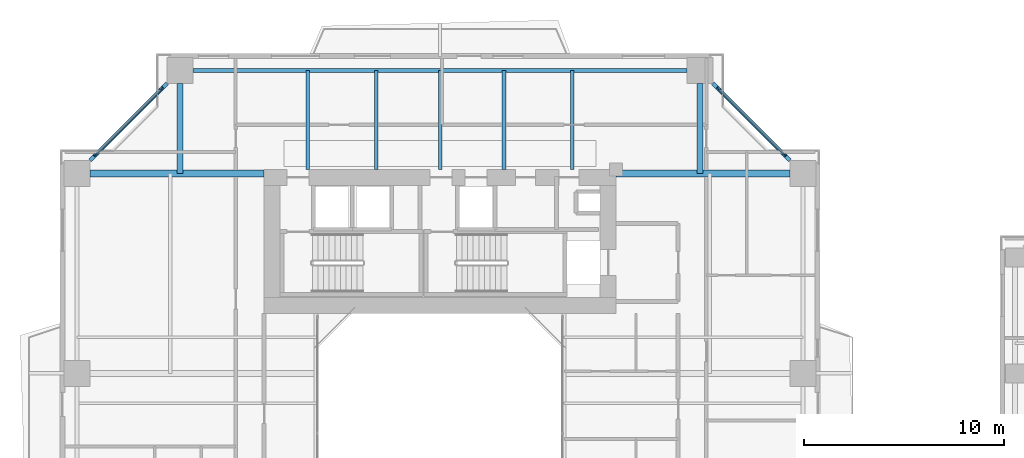
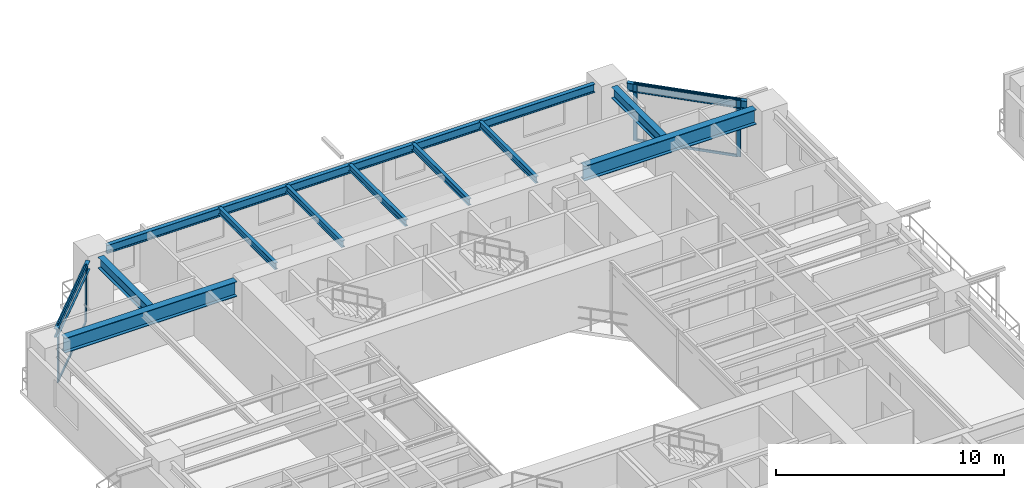
# One storey, part 9 of 23: 12 beams, 8 members, 2 elements without a shape of their own.
"""IFC4 building model written with IfcOpenShell, lengths in metres."""

import ifcopenshell
import ifcopenshell.guid

model = None  # the IFC model being written
_history = None  # IfcOwnerHistory: only IFC2X3 demands one
_inside = {}  # id of a spatial element -> (the spatial element, [elements in it])
_under = {}  # id of a project, library or spatial element -> (it, [spatial elements below it])
_declared = {}  # id of a project -> (the project, [libraries it declares])
_typed = {}  # id of a type object -> (the type object, [elements of that type])
_made_of = {}  # id of a material, layer set ... -> (it, [elements and type objects made of it])


def new_model(schema):
    """Start an empty IFC model of exactly this schema.

    Asked for "IFC4X3", IfcOpenShell would pick the latest addendum, in which some entities
    have other attributes; the version numbers below select the first issue.
    IFC2X3 requires an IfcOwnerHistory on every rooted entity: one is made here for all.
    """
    global model, _history
    if schema == "IFC4X3":
        model = ifcopenshell.file(schema_version=(4, 3, 0, 0))
    else:
        model = ifcopenshell.file(schema=schema)
    _inside.clear()
    _under.clear()
    _declared.clear()
    _typed.clear()
    _made_of.clear()
    _history = None
    if model.schema == "IFC2X3":
        org = make("IfcOrganization", Name="unknown")
        user = make(
            "IfcPersonAndOrganization",
            ThePerson=make("IfcPerson", FamilyName="unknown"),
            TheOrganization=org,
        )
        app = make(
            "IfcApplication",
            ApplicationDeveloper=org,
            Version="unknown",
            ApplicationFullName="unknown",
            ApplicationIdentifier="unknown",
        )
        _history = make(
            "IfcOwnerHistory",
            OwningUser=user,
            OwningApplication=app,
            ChangeAction="ADDED",
            CreationDate=0,
        )
    return model


def make(cls, **values):
    """One entity of the class cls with the attributes given. An attribute that is None is left unset."""
    return model.create_entity(
        cls, **{name: value for name, value in values.items() if value is not None}
    )


def rooted(cls, **values):
    """An entity with a GlobalId (a new one), such as an element, a storey or a relation."""
    return make(cls, GlobalId=ifcopenshell.guid.new(), OwnerHistory=_history, **values)


def si_unit(unit_type, name, prefix=None):
    """IfcSIUnit, for example si_unit("LENGTHUNIT", "METRE", prefix="MILLI")."""
    return make("IfcSIUnit", UnitType=unit_type, Prefix=prefix, Name=name)


def assignment(units):
    """IfcUnitAssignment: the units of a project."""
    return None if units is None else make("IfcUnitAssignment", Units=units)


def point(xyz):
    """IfcCartesianPoint."""
    return None if xyz is None else make("IfcCartesianPoint", Coordinates=xyz)


def direction(xyz):
    """IfcDirection."""
    return None if xyz is None else make("IfcDirection", DirectionRatios=xyz)


def frame(location, z_axis=None, x_axis=None):
    """IfcAxis2Placement3D, a coordinate frame: its origin and axes. An axis left out is left unset."""
    return make(
        "IfcAxis2Placement3D",
        Location=point(location),
        Axis=direction(z_axis),
        RefDirection=direction(x_axis),
    )


def frame_2d(location, x_axis=None):
    """IfcAxis2Placement2D, a coordinate frame in the plane: its origin and x axis."""
    return make(
        "IfcAxis2Placement2D", Location=point(location), RefDirection=direction(x_axis)
    )


def origin():
    """The frame at (0, 0, 0) with its axes left unset."""
    return frame((0.0, 0.0, 0.0))


def origin_2d():
    """The frame at (0, 0) in the plane with its x axis left unset."""
    return frame_2d((0.0, 0.0))


def place(relative_to, where):
    """IfcLocalPlacement: puts the frame where relative to a parent placement (None: the world)."""
    return make(
        "IfcLocalPlacement", PlacementRelTo=relative_to, RelativePlacement=where
    )


def context(
    kind, dimensions, precision=None, world=None, true_north=None, identifier=None
):
    """IfcGeometricRepresentationContext, for example the 3D "Model" context."""
    return make(
        "IfcGeometricRepresentationContext",
        ContextIdentifier=identifier,
        ContextType=kind,
        CoordinateSpaceDimension=dimensions,
        Precision=precision,
        WorldCoordinateSystem=world,
        TrueNorth=true_north,
    )


def subcontext(parent, identifier, kind, view, scale=None):
    """IfcGeometricRepresentationSubContext, for example "Body" below "Model"."""
    return make(
        "IfcGeometricRepresentationSubContext",
        ContextIdentifier=identifier,
        ContextType=kind,
        ParentContext=parent,
        TargetScale=scale,
        TargetView=view,
    )


def project(units=None, contexts=None):
    """IfcProject with its units and contexts."""
    return rooted(
        "IfcProject",
        Name="project",
        RepresentationContexts=contexts,
        UnitsInContext=assignment(units),
    )


def spatial(cls, under=None, at=None, **own):
    """A site, building, storey or space (cls), placed at a placement, below another one or the project."""
    s = rooted(cls, ObjectPlacement=at, **own)
    if under is not None:
        _under.setdefault(under.id(), (under, []))[1].append(s)
    return s


def profile(cls, at=None, kind="AREA", **sizes):
    """A parametric profile (cls). Its sizes go by their IFC names, for example OverallWidth=200.0."""
    return make(cls, ProfileType=kind, Position=at, **sizes)


def rectangle(**sizes):
    """IfcRectangleProfileDef."""
    return profile("IfcRectangleProfileDef", **sizes)


def i_section(**sizes):
    """IfcIShapeProfileDef."""
    return profile("IfcIShapeProfileDef", **sizes)


def extrude(swept, where, along, depth):
    """IfcExtrudedAreaSolid: the profile swept, set in the frame where, extruded along a direction by depth."""
    return make(
        "IfcExtrudedAreaSolid",
        SweptArea=swept,
        Position=where,
        ExtrudedDirection=direction(along),
        Depth=depth,
    )


def shape(context_of_items, identifier, shape_type, items):
    """IfcShapeRepresentation: the items that make up one representation, for example the "Body"."""
    return make(
        "IfcShapeRepresentation",
        ContextOfItems=context_of_items,
        RepresentationIdentifier=identifier,
        RepresentationType=shape_type,
        Items=items,
    )


def source(mapping_origin, context_of_items, identifier, shape_type, items):
    """IfcRepresentationMap: a shape defined once, which mapped items show again and again."""
    return make(
        "IfcRepresentationMap",
        MappingOrigin=mapping_origin,
        MappedRepresentation=shape(context_of_items, identifier, shape_type, items),
    )


def transform(
    local_origin,
    x_axis=None,
    y_axis=None,
    z_axis=None,
    scale=None,
    scale2=None,
    scale3=None,
    uniform=True,
):
    """IfcCartesianTransformationOperator3D, or its non-uniform kind. x_axis, y_axis, z_axis: its Axis1, 2, 3."""
    if uniform:
        return make(
            "IfcCartesianTransformationOperator3D",
            Axis1=direction(x_axis),
            Axis2=direction(y_axis),
            LocalOrigin=point(local_origin),
            Scale=scale,
            Axis3=direction(z_axis),
        )
    return make(
        "IfcCartesianTransformationOperator3DnonUniform",
        Axis1=direction(x_axis),
        Axis2=direction(y_axis),
        LocalOrigin=point(local_origin),
        Scale=scale,
        Axis3=direction(z_axis),
        Scale2=scale2,
        Scale3=scale3,
    )


def mapped(mapping_source, mapping_target):
    """IfcMappedItem: shows the shape of a source again, moved by a transform."""
    return make(
        "IfcMappedItem", MappingSource=mapping_source, MappingTarget=mapping_target
    )


def material(Name=None, Category=None):
    """IfcMaterial."""
    return make("IfcMaterial", Name=Name, Category=Category)


def layer(
    of_material, thickness, ventilated=None, Name=None, Category=None, Priority=None
):
    """IfcMaterialLayer: one layer of a wall or slab, of a material (None: an air gap)."""
    return make(
        "IfcMaterialLayer",
        Material=of_material,
        LayerThickness=thickness,
        IsVentilated=ventilated,
        Name=Name,
        Category=Category,
        Priority=Priority,
    )


def layer_set(layers, Name=None):
    """IfcMaterialLayerSet."""
    return make("IfcMaterialLayerSet", MaterialLayers=layers, LayerSetName=Name)


def material_profile(
    of_material, cross_section, Name=None, Category=None, Priority=None
):
    """IfcMaterialProfile: a cross section and its material."""
    return make(
        "IfcMaterialProfile",
        Name=Name,
        Material=of_material,
        Profile=cross_section,
        Priority=Priority,
        Category=Category,
    )


def profile_set(profiles, Name=None, composite=None):
    """IfcMaterialProfileSet."""
    return make(
        "IfcMaterialProfileSet",
        Name=Name,
        MaterialProfiles=profiles,
        CompositeProfile=composite,
    )


def made_of(thing, what):
    """Note that an element or type object is made of a material, layer set ...; save() writes the relation."""
    if what is not None:
        _made_of.setdefault(what.id(), (what, []))[1].append(thing)
    return thing


def type_object(cls, material=None, **own):
    """A type object (cls), such as IfcWallType, which elements share."""
    return made_of(rooted(cls, **own), material)


def element(
    cls,
    number,
    at=None,
    inside=None,
    cuts=None,
    type_object=None,
    material=None,
    context=None,
    identifier="Body",
    shape_type=None,
    held_by="IfcProductDefinitionShape",
    body=None,
    shapes=None,
    **own,
):
    """One element of the class cls, such as IfcWall. Its Tag is "e" and its number.

    at: its placement. inside: the storey or other place that contains it. cuts: it is an
    opening in that element (IfcRelVoidsElement). A single representation is given by context,
    identifier, shape_type and body (its items); several are given by shapes. held_by: the class
    of the entity that holds the representations. save() writes the other relations.
    """
    e = rooted(cls, Tag="e%d" % number, ObjectPlacement=at, **own)
    if body is not None:
        shapes = [shape(context, identifier, shape_type, body)]
    if shapes is not None:
        e.Representation = make(held_by, Representations=shapes)
    if inside is not None:
        _inside.setdefault(inside.id(), (inside, []))[1].append(e)
    if cuts is not None:
        rooted(
            "IfcRelVoidsElement", RelatingBuildingElement=cuts, RelatedOpeningElement=e
        )
    if type_object is not None:
        _typed.setdefault(type_object.id(), (type_object, []))[1].append(e)
    return made_of(e, material)


def aggregate(whole, parts):
    """IfcRelAggregates: a whole, such as a stair, and the parts it consists of."""
    return rooted("IfcRelAggregates", RelatingObject=whole, RelatedObjects=parts)


def save(model, path):
    """Write the relations noted so far, then the file.

    IfcRelAggregates (storeys below a building ...), IfcRelContainedInSpatialStructure (elements
    in a storey), IfcRelDefinesByType, IfcRelAssociatesMaterial and IfcRelDeclares: one each for
    every whole, place, type object, material and project.
    """
    for whole, parts in _under.values():
        aggregate(whole, parts)
    for where, things in _inside.values():
        rooted(
            "IfcRelContainedInSpatialStructure",
            RelatedElements=things,
            RelatingStructure=where,
        )
    for kind, things in _typed.values():
        rooted("IfcRelDefinesByType", RelatedObjects=things, RelatingType=kind)
    for what, things in _made_of.values():
        rooted("IfcRelAssociatesMaterial", RelatedObjects=things, RelatingMaterial=what)
    for by, libraries in _declared.values():
        rooted("IfcRelDeclares", RelatingContext=by, RelatedDefinitions=libraries)
    model.write(path)


model = new_model("IFC4")

# Units and contexts
model_context = context("Model", 3, precision=1e-05, world=origin(), true_north=direction((0.0, 1.0)))
body_context = subcontext(model_context, "Body", "Model", "MODEL_VIEW")
ifc_project = project(units=[si_unit("LENGTHUNIT", "METRE"), si_unit("AREAUNIT", "SQUARE_METRE"), si_unit("VOLUMEUNIT", "CUBIC_METRE"), si_unit("PLANEANGLEUNIT", "RADIAN"), si_unit("MASSUNIT", "GRAM", prefix="KILO"), si_unit("THERMODYNAMICTEMPERATUREUNIT", "KELVIN"), si_unit("POWERUNIT", "WATT")], contexts=[model_context])

# Site, building, storey
site_placement = place(None, origin())
site = spatial("IfcSite", under=ifc_project, at=site_placement, CompositionType="ELEMENT")
building_placement = place(site_placement, origin())
building = spatial("IfcBuilding", under=site, at=building_placement, Name="Qiaomeng Ring Towers", CompositionType="ELEMENT")
storey_placement = place(building_placement, frame((0.0, 0.0, 26.25)))
storey = spatial("IfcBuildingStorey", under=building, at=storey_placement, Name="L06", CompositionType="ELEMENT", Elevation=26.25)

# Beams
ifc_material_1 = material(Name="Steel Q355B", Category="steel")
ifc_material_profile_1 = material_profile(ifc_material_1, i_section(OverallWidth=0.199951171875, OverallDepth=0.449951171875, WebThickness=0.009033203125, FlangeThickness=0.013916015625, FilletRadius=0.01806640625, at=origin_2d()), Name="HN 450x200x9x14")
ifc_profile_set_1 = profile_set([ifc_material_profile_1], Name="Steel Q355B")
beam_type_1 = type_object("IfcBeamType", Name="STR-BM-HN450", PredefinedType="SPANDREL", material=ifc_profile_set_1)
shared_shape_1 = source(origin(), body_context, "Body", "SweptSolid", [
    extrude(i_section(OverallWidth=0.199951171875, OverallDepth=0.449951171875, WebThickness=0.009033203125, FlangeThickness=0.013916015625, FilletRadius=0.01806640625, at=origin_2d()), origin(), (0.0, 0.0, 1.0), 24.7021484375),
])
beam_placement = place(storey_placement, frame((31.35107421875, 41.14990234375, 2.844970703125), z_axis=(-1.0, 0.0, 0.0), x_axis=(0.0, -1.0, 0.0)))
element("IfcBeam", 1, at=beam_placement, inside=storey, type_object=beam_type_1, Name="L06 beam STR-SP-L06-T1-N2-N1", PredefinedType="SPANDREL", context=body_context, shape_type="MappedRepresentation", body=[
    mapped(shared_shape_1, transform((0.0, 0.0, 0.0), x_axis=(1.0, 0.0, 0.0), y_axis=(0.0, 1.0, 0.0), z_axis=(0.0, 0.0, 1.0), scale=1.0)),
])
shared_shape_2 = source(origin(), body_context, "Body", "SweptSolid", [
    extrude(i_section(OverallWidth=0.199951171875, OverallDepth=0.449951171875, WebThickness=0.009033203125, FlangeThickness=0.013916015625, FilletRadius=0.01806640625, at=origin_2d()), origin(), (0.0, 0.0, 1.0), 5.446533203125),
])
for number, where, z_axis, x_axis, name in (
    (2, (36.500732421875, 36.6494140625, 2.844970703125), (-0.707106781187, 0.707106781187, 0.0), (-0.707106781187, -0.707106781187, 0.0), "L06 beam STR-SP-L06-T1-E4-N2"),
    (3, (5.3505859375, 40.500732421875, 2.844970703125), (-0.707106781187, -0.707106781187, 0.0), (0.707106781187, -0.707106781187, 0.0), "L06 beam STR-SP-L06-T1-N1-W4"),
):
    element("IfcBeam", number, at=place(storey_placement, frame(where, z_axis=z_axis, x_axis=x_axis)), inside=storey, type_object=beam_type_1, Name=name, PredefinedType="SPANDREL", context=body_context, shape_type="MappedRepresentation", body=[
        mapped(shared_shape_2, transform((0.0, 0.0, 0.0), x_axis=(1.0, 0.0, 0.0), y_axis=(0.0, 1.0, 0.0), z_axis=(0.0, 0.0, 1.0), scale=1.0)),
    ])
ifc_material_2 = material(Name="Steel Q390GJC", Category="steel")
ifc_material_profile_2 = material_profile(ifc_material_2, i_section(OverallWidth=0.35009765625, OverallDepth=0.800048828125, WebThickness=0.01611328125, FlangeThickness=0.028076171875, at=origin_2d()), Name="WH 800x350x16x28")
ifc_profile_set_2 = profile_set([ifc_material_profile_2], Name="Steel Q390GJC")
beam_type_2 = type_object("IfcBeamType", Name="STR-BM-WH800", PredefinedType="BEAM", material=ifc_profile_set_2)
shared_shape_3 = source(origin(), body_context, "Body", "SweptSolid", [
    extrude(i_section(OverallWidth=0.35009765625, OverallDepth=0.800048828125, WebThickness=0.01611328125, FlangeThickness=0.028076171875, at=origin_2d()), origin(), (0.0, 0.0, 1.0), 8.700927734375),
])
for number, where, z_axis, x_axis, name in (
    (4, (1.4990234375, 36.0, 2.669921875), (1.0, 0.0, 0.0), (0.0, 1.0, 0.0), "L06 beam STR-BM-L06-T1-RAD-W4"),
    (5, (27.800048828125, 36.0, 2.669921875), (1.0, 0.0, 0.0), (0.0, 1.0, 0.0), "L06 beam STR-BM-L06-T1-RAD-E4"),
):
    element("IfcBeam", number, at=place(storey_placement, frame(where, z_axis=z_axis, x_axis=x_axis)), inside=storey, type_object=beam_type_2, Name=name, PredefinedType="BEAM", context=body_context, shape_type="MappedRepresentation", body=[
        mapped(shared_shape_3, transform((0.0, 0.0, 0.0), x_axis=(1.0, 0.0, 0.0), y_axis=(0.0, 1.0, 0.0), z_axis=(0.0, 0.0, 1.0), scale=1.0)),
    ])
ifc_material_profile_3 = material_profile(ifc_material_1, i_section(OverallWidth=0.300048828125, OverallDepth=0.587890625, WebThickness=0.011962890625, FlangeThickness=0.02001953125, FilletRadius=0.028076171875, at=origin_2d()), Name="HM 588x300x12x20")
ifc_profile_set_3 = profile_set([ifc_material_profile_3], Name="Steel Q355B")
beam_type_3 = type_object("IfcBeamType", Name="STR-BM-HM588", PredefinedType="BEAM", material=ifc_profile_set_3)
shared_shape_4 = source(origin(), body_context, "Body", "SweptSolid", [
    extrude(i_section(OverallWidth=0.300048828125, OverallDepth=0.587890625, WebThickness=0.011962890625, FlangeThickness=0.02001953125, FilletRadius=0.028076171875, at=origin_2d()), origin(), (0.0, 0.0, 1.0), 4.5009765625),
])
for number, where, z_axis, x_axis, name in (
    (6, (6.0, 40.5009765625, 2.77587890625), (0.0, -1.0, 0.0), (1.0, 0.0, 0.0), "L06 beam STR-BM-L06-T1-RAD-N1"),
    (7, (32.0, 40.5009765625, 2.77587890625), (0.0, -1.0, 0.0), (1.0, 0.0, 0.0), "L06 beam STR-BM-L06-T1-RAD-N2"),
):
    element("IfcBeam", number, at=place(storey_placement, frame(where, z_axis=z_axis, x_axis=x_axis)), inside=storey, type_object=beam_type_3, Name=name, PredefinedType="BEAM", context=body_context, shape_type="MappedRepresentation", body=[
        mapped(shared_shape_4, transform((0.0, 0.0, 0.0), x_axis=(1.0, 0.0, 0.0), y_axis=(0.0, 1.0, 0.0), z_axis=(0.0, 0.0, 1.0), scale=1.0)),
    ])
ifc_material_profile_4 = material_profile(ifc_material_1, i_section(OverallWidth=0.175048828125, OverallDepth=0.35009765625, WebThickness=0.007080078125, FlangeThickness=0.010986328125, FilletRadius=0.013916015625, at=origin_2d()), Name="HN 350x175x7x11")
ifc_profile_set_4 = profile_set([ifc_material_profile_4], Name="Steel Q355B")
beam_type_4 = type_object("IfcBeamType", Name="STR-BM-HN350", PredefinedType="JOIST", material=ifc_profile_set_4)
shared_shape_5 = source(origin(), body_context, "Body", "SweptSolid", [
    extrude(i_section(OverallWidth=0.175048828125, OverallDepth=0.35009765625, WebThickness=0.007080078125, FlangeThickness=0.010986328125, FilletRadius=0.013916015625, at=origin_2d()), origin(), (0.0, 0.0, 1.0), 4.949951171875),
])
for number, where, z_axis, x_axis, name in (
    (8, (12.39990234375, 36.199951171875, 2.89501953125), (0.0, 1.0, 0.0), (-1.0, 0.0, 0.0), "L06 beam STR-JST-L06-T1N-1"),
    (9, (15.800048828125, 36.199951171875, 2.89501953125), (0.0, 1.0, 0.0), (-1.0, 0.0, 0.0), "L06 beam STR-JST-L06-T1N-2"),
    (10, (19.0, 36.199951171875, 2.89501953125), (0.0, 1.0, 0.0), (-1.0, 0.0, 0.0), "L06 beam STR-JST-L06-T1N-3"),
    (11, (22.199951171875, 36.199951171875, 2.89501953125), (0.0, 1.0, 0.0), (-1.0, 0.0, 0.0), "L06 beam STR-JST-L06-T1N-4"),
    (12, (25.60009765625, 36.199951171875, 2.89501953125), (0.0, 1.0, 0.0), (-1.0, 0.0, 0.0), "L06 beam STR-JST-L06-T1N-5"),
):
    element("IfcBeam", number, at=place(storey_placement, frame(where, z_axis=z_axis, x_axis=x_axis)), inside=storey, type_object=beam_type_4, Name=name, PredefinedType="JOIST", context=body_context, shape_type="MappedRepresentation", body=[
        mapped(shared_shape_5, transform((0.0, 0.0, 0.0), x_axis=(1.0, 0.0, 0.0), y_axis=(0.0, 1.0, 0.0), z_axis=(0.0, 0.0, 1.0), scale=1.0)),
    ])

# Curtain wall, members
ifc_material_3 = material(Name="Fluorocarbon dark-grey aluminium", Category="aluminium")
ifc_layer = layer(ifc_material_3, 0.159912109375, Name="Fluorocarbon dark-grey aluminium")
ifc_layer_set = layer_set([ifc_layer], Name="Fluorocarbon dark-grey aluminium")
curtain_wall_type = type_object("IfcCurtainWallType", Name="ARC-CW-2", PredefinedType="NOTDEFINED", material=ifc_layer_set)
curtain_wall_1_placement = place(storey_placement, origin())
curtain_wall_1 = element("IfcCurtainWall", 13, at=curtain_wall_1_placement, inside=storey, type_object=curtain_wall_type, Name="L06 Curtain Wall CW2", PredefinedType="NOTDEFINED")
ifc_material_profile_5 = material_profile(ifc_material_3, rectangle(XDim=0.070068359375, YDim=0.179931640625, at=origin_2d()), Name="ALU MULL 70x180")
ifc_profile_set_5 = profile_set([ifc_material_profile_5], Name="Fluorocarbon dark-grey aluminium")
member_type_1 = type_object("IfcMemberType", Name="ARC-CWM-160", PredefinedType="MULLION", material=ifc_profile_set_5)
shared_shape_6 = source(origin(), body_context, "Body", "SweptSolid", [
    extrude(rectangle(XDim=0.070068359375, YDim=0.179931640625, at=origin_2d()), origin(), (0.0, 0.0, 1.0), 3.070068359375),
])
member_1_placement = place(storey_placement, frame((36.2353515625, 36.914794921875, 0.0), z_axis=(0.0, 0.0, 1.0), x_axis=(-0.707106781187, -0.707106781187, 0.0)))
member_1 = element("IfcMember", 14, at=member_1_placement, type_object=member_type_1, Name="CW2 mullion 1", PredefinedType="MULLION", context=body_context, shape_type="MappedRepresentation", body=[
    mapped(shared_shape_6, transform((0.0, 0.0, 0.0), x_axis=(1.0, 0.0, 0.0), y_axis=(0.0, 1.0, 0.0), z_axis=(0.0, 0.0, 1.0), scale=1.0)),
])
member_2_placement = place(storey_placement, frame((32.914794921875, 40.2353515625, 0.0), z_axis=(0.0, 0.0, 1.0), x_axis=(-0.707106781187, -0.707106781187, 0.0)))
member_2 = element("IfcMember", 15, at=member_2_placement, type_object=member_type_1, Name="CW2 mullion 2", PredefinedType="MULLION", context=body_context, shape_type="MappedRepresentation", body=[
    mapped(shared_shape_6, transform((0.0, 0.0, 0.0), x_axis=(1.0, 0.0, 0.0), y_axis=(0.0, 1.0, 0.0), z_axis=(0.0, 0.0, 1.0), scale=1.0)),
])

curtain_wall_2_placement = place(storey_placement, origin())
curtain_wall_2 = element("IfcCurtainWall", 16, at=curtain_wall_2_placement, inside=storey, type_object=curtain_wall_type, Name="L06 Curtain Wall CW2", PredefinedType="NOTDEFINED")
member_3_placement = place(storey_placement, frame((5.085205078125, 40.2353515625, 0.0), z_axis=(0.0, 0.0, 1.0), x_axis=(0.707106781187, -0.707106781187, 0.0)))
member_3 = element("IfcMember", 17, at=member_3_placement, type_object=member_type_1, Name="CW2 mullion 1", PredefinedType="MULLION", context=body_context, shape_type="MappedRepresentation", body=[
    mapped(shared_shape_6, transform((0.0, 0.0, 0.0), x_axis=(1.0, 0.0, 0.0), y_axis=(0.0, 1.0, 0.0), z_axis=(0.0, 0.0, 1.0), scale=1.0)),
])
member_4_placement = place(storey_placement, frame((1.7646484375, 36.914794921875, 0.0), z_axis=(0.0, 0.0, 1.0), x_axis=(0.707106781187, -0.707106781187, 0.0)))
member_4 = element("IfcMember", 18, at=member_4_placement, type_object=member_type_1, Name="CW2 mullion 2", PredefinedType="MULLION", context=body_context, shape_type="MappedRepresentation", body=[
    mapped(shared_shape_6, transform((0.0, 0.0, 0.0), x_axis=(1.0, 0.0, 0.0), y_axis=(0.0, 1.0, 0.0), z_axis=(0.0, 0.0, 1.0), scale=1.0)),
])

# Member
ifc_material_profile_6 = material_profile(ifc_material_3, rectangle(XDim=0.06494140625, YDim=0.1298828125, at=origin_2d()), Name="ALU TRAN 65x130")
ifc_profile_set_6 = profile_set([ifc_material_profile_6], Name="Fluorocarbon dark-grey aluminium")
member_type_2 = type_object("IfcMemberType", Name="ARC-CWT-120", PredefinedType="USERDEFINED", material=ifc_profile_set_6)
shared_shape_7 = source(origin(), body_context, "Body", "SweptSolid", [
    extrude(rectangle(XDim=0.06494140625, YDim=0.1298828125, at=origin_2d()), origin(), (0.0, 0.0, 1.0), 4.6259765625),
])
member_5_placement = place(storey_placement, frame((36.21044921875, 36.939453125, 0.032470703125), z_axis=(-0.707106781187, 0.707106781187, 0.0), x_axis=(-0.707106781187, -0.707106781187, 0.0)))
member_5 = element("IfcMember", 19, at=member_5_placement, type_object=member_type_2, Name="CW2 transom 1.1", ObjectType="TRANSOM", PredefinedType="USERDEFINED", context=body_context, shape_type="MappedRepresentation", body=[
    mapped(shared_shape_7, transform((0.0, 0.0, 0.0), x_axis=(1.0, 0.0, 0.0), y_axis=(0.0, 1.0, 0.0), z_axis=(0.0, 0.0, 1.0), scale=1.0)),
])

member_6_placement = place(storey_placement, frame((36.21044921875, 36.939453125, 3.03759765625), z_axis=(-0.707106781187, 0.707106781187, 0.0), x_axis=(-0.707106781187, -0.707106781187, 0.0)))
member_6 = element("IfcMember", 20, at=member_6_placement, type_object=member_type_2, Name="CW2 transom 1.2", ObjectType="TRANSOM", PredefinedType="USERDEFINED", context=body_context, shape_type="MappedRepresentation", body=[
    mapped(shared_shape_7, transform((0.0, 0.0, 0.0), x_axis=(1.0, 0.0, 0.0), y_axis=(0.0, 1.0, 0.0), z_axis=(0.0, 0.0, 1.0), scale=1.0)),
])

aggregate(curtain_wall_1, [member_1, member_2, member_5, member_6])

member_7_placement = place(storey_placement, frame((5.060546875, 40.21044921875, 0.032470703125), z_axis=(-0.707106781187, -0.707106781187, 0.0), x_axis=(0.707106781187, -0.707106781187, 0.0)))
member_7 = element("IfcMember", 21, at=member_7_placement, type_object=member_type_2, Name="CW2 transom 1.1", ObjectType="TRANSOM", PredefinedType="USERDEFINED", context=body_context, shape_type="MappedRepresentation", body=[
    mapped(shared_shape_7, transform((0.0, 0.0, 0.0), x_axis=(1.0, 0.0, 0.0), y_axis=(0.0, 1.0, 0.0), z_axis=(0.0, 0.0, 1.0), scale=1.0)),
])

member_8_placement = place(storey_placement, frame((5.060546875, 40.21044921875, 3.03759765625), z_axis=(-0.707106781187, -0.707106781187, 0.0), x_axis=(0.707106781187, -0.707106781187, 0.0)))
member_8 = element("IfcMember", 22, at=member_8_placement, type_object=member_type_2, Name="CW2 transom 1.2", ObjectType="TRANSOM", PredefinedType="USERDEFINED", context=body_context, shape_type="MappedRepresentation", body=[
    mapped(shared_shape_7, transform((0.0, 0.0, 0.0), x_axis=(1.0, 0.0, 0.0), y_axis=(0.0, 1.0, 0.0), z_axis=(0.0, 0.0, 1.0), scale=1.0)),
])

aggregate(curtain_wall_2, [member_3, member_4, member_7, member_8])

save(model, "model.ifc")
